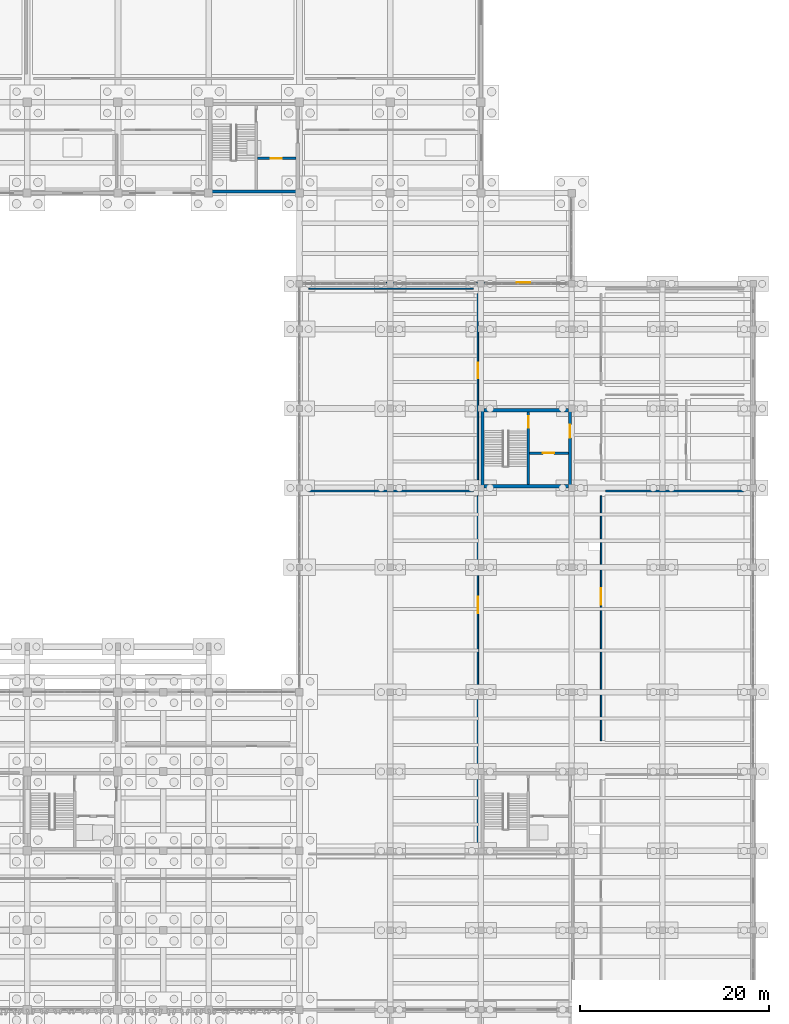
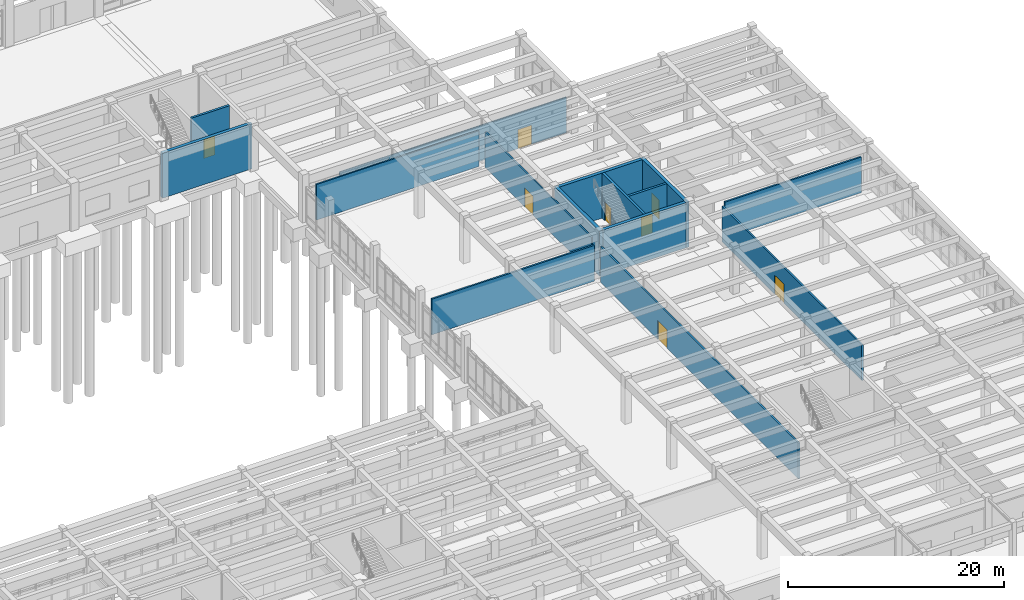
# One storey, part 84 of 102: 15 walls, 8 doors, 8 openings.
"""IFC4 building model written with IfcOpenShell, lengths in metres."""

from ifc_helpers import new_model, si_unit, direction, frame, frame_2d, origin, place, context, subcontext, project, spatial, rectangle, extrude, material, layer, layer_set, type_object, element, fill, save


model = new_model("IFC4")

# Units and contexts
model_context = context("Model", 3, precision=1e-05, world=origin(), true_north=direction((0.0, 1.0)))
body_context = subcontext(model_context, "Body", "Model", "MODEL_VIEW")
ifc_project = project(units=[si_unit("LENGTHUNIT", "METRE"), si_unit("AREAUNIT", "SQUARE_METRE"), si_unit("VOLUMEUNIT", "CUBIC_METRE"), si_unit("PLANEANGLEUNIT", "RADIAN"), si_unit("MASSUNIT", "GRAM", prefix="KILO")], contexts=[model_context])

# Site, building, storey
site_placement = place(None, origin())
site = spatial("IfcSite", under=ifc_project, at=site_placement, CompositionType="ELEMENT")
building_placement = place(site_placement, origin())
building = spatial("IfcBuilding", under=site, at=building_placement, Name="Kolvemor Railside Polytechnic", CompositionType="ELEMENT")
storey_placement = place(building_placement, origin())
storey = spatial("IfcBuildingStorey", under=building, at=storey_placement, Name="L00", CompositionType="ELEMENT", Elevation=0.0)

# Walls
ifc_material_1 = material(Name="Concrete C40/50", Category="concrete")
ifc_layer_1 = layer(ifc_material_1, 0.35009765625, Name="WL-CORE-350")
ifc_layer_set_1 = layer_set([ifc_layer_1], Name="Concrete C40/50")
wall_type_1 = type_object("IfcWallType", Name="WL-CORE-350", PredefinedType="SHEAR", material=ifc_layer_set_1)
for number, where, z_axis, x_axis, name in (
    (1, (153.60009765625, 68.22509765625, 0.0), (0.0, 0.0, 1.0), (1.0, 0.0, 0.0), "CORE-7 North Core Wall L00"),
    (2, (153.60009765625, 60.175048828125, 0.0), (0.0, 0.0, 1.0), (1.0, 0.0, 0.0), "CORE-7 South Core Wall L00"),
):
    element("IfcWall", number, at=place(storey_placement, frame(where, z_axis=z_axis, x_axis=x_axis)), inside=storey, type_object=wall_type_1, Name=name, PredefinedType="SHEAR", context=body_context, shape_type="SweptSolid", body=[
        extrude(rectangle(XDim=9.599853515625, YDim=0.35009765625, at=frame_2d((4.7998046875, 0.0))), origin(), (0.0, 0.0, 1.0), 5.110107421875),
    ])
wall_1_placement = place(storey_placement, frame((153.77490234375, 60.0, 0.0), z_axis=(0.0, 0.0, 1.0), x_axis=(0.0, 1.0, 0.0)))
element("IfcWall", 3, at=wall_1_placement, inside=storey, type_object=wall_type_1, Name="CORE-7 West Core Wall L00", PredefinedType="SHEAR", context=body_context, shape_type="SweptSolid", body=[
    extrude(rectangle(XDim=8.39990234375, YDim=0.35009765625, at=frame_2d((4.199951171875, 0.0))), origin(), (0.0, 0.0, 1.0), 5.110107421875),
])

# Wall, opening, door
wall_2_placement = place(storey_placement, frame((163.02490234375, 60.0, 0.0), z_axis=(0.0, 0.0, 1.0), x_axis=(0.0, 1.0, 0.0)))
wall_2 = element("IfcWall", 4, at=wall_2_placement, inside=storey, type_object=wall_type_1, Name="CORE-7 East Core Wall L00", PredefinedType="SHEAR", context=body_context, shape_type="SweptSolid", body=[
    extrude(rectangle(XDim=8.39990234375, YDim=0.35009765625, at=frame_2d((4.199951171875, 0.0))), origin(), (0.0, 0.0, 1.0), 5.110107421875),
])
opening_1_placement = place(wall_2_placement, frame((5.300048828125, 0.0, 0.0)))
opening_1 = element("IfcOpeningElement", 5, at=opening_1_placement, cuts=wall_2, Name="Opening D-LOB-7-L00", PredefinedType="OPENING", context=body_context, shape_type="SweptSolid", body=[
    extrude(rectangle(XDim=1.39990234375, YDim=2.14990234375, at=frame_2d((0.699951171875, 1.074951171875))), frame((0.0, 0.18505859375, 0.0), z_axis=(0.0, -1.0, 0.0), x_axis=(1.0, 0.0, 0.0)), (0.0, 0.0, 1.0), 0.3701171875),
])
ifc_material_2 = material(Name="Fire-rated hardwood and brushed stainless-steel door", Category="steel")
door_type_1 = type_object("IfcDoorType", Name="DR-FD60-140x215", OperationType="NOTDEFINED", PredefinedType="DOOR", material=ifc_material_2)
door_1_placement = place(opening_1_placement, origin())
door_1 = element("IfcDoor", 6, at=door_1_placement, inside=storey, type_object=door_type_1, Name="Core Lobby Fire Door CORE-7 L00", OperationType="SINGLE_SWING_RIGHT", OverallHeight=2.14990234375, OverallWidth=1.39990234375, PredefinedType="DOOR", context=body_context, shape_type="SweptSolid", body=[
    extrude(rectangle(XDim=1.39990234375, YDim=2.14990234375, at=frame_2d((0.699951171875, 1.074951171875))), frame((0.0, 0.02490234375, 0.0), z_axis=(0.0, -1.0, 0.0), x_axis=(1.0, 0.0, 0.0)), (0.0, 0.0, 1.0), 0.050048828125),
])
fill(opening_1, door_1)

# Wall
wall_3_placement = place(storey_placement, frame((124.800048828125, 91.375, 0.0), z_axis=(0.0, 0.0, 1.0), x_axis=(1.0, 0.0, 0.0)))
element("IfcWall", 7, at=wall_3_placement, inside=storey, type_object=wall_type_1, Name="CORE-9 South Core Wall L00", PredefinedType="SHEAR", context=body_context, shape_type="SweptSolid", body=[
    extrude(rectangle(XDim=9.599853515625, YDim=0.35009765625, at=frame_2d((4.7998046875, 0.0))), origin(), (0.0, 0.0, 1.0), 5.110107421875),
])

# Wall, opening, door
ifc_material_3 = material(Name="Fire-rated store partition")
ifc_layer_2 = layer(ifc_material_3, 0.110107421875, Name="WL-PART-110")
ifc_layer_set_2 = layer_set([ifc_layer_2], Name="Fire-rated store partition")
wall_type_2 = type_object("IfcWallType", Name="WL-PART-110", PredefinedType="PARTITIONING", material=ifc_layer_set_2)
wall_4_placement = place(storey_placement, frame((138.25, 81.719970703125, 0.0), z_axis=(0.0, 0.0, 1.0), x_axis=(1.0, 0.0, 0.0)))
wall_4 = element("IfcWall", 8, at=wall_4_placement, inside=storey, type_object=wall_type_2, Name="Partition Wall L00-0020", PredefinedType="PARTITIONING", context=body_context, shape_type="SweptSolid", body=[
    extrude(rectangle(XDim=24.300048828125, YDim=0.110107421875, at=frame_2d((12.14990234375, 0.0))), origin(), (0.0, 0.0, 1.0), 4.0400390625),
])
opening_2_placement = place(wall_4_placement, frame((19.14208984375, 0.0, 0.0)))
opening_2 = element("IfcOpeningElement", 9, at=opening_2_placement, cuts=wall_4, Name="Opening D-00013", PredefinedType="OPENING", context=body_context, shape_type="SweptSolid", body=[
    extrude(rectangle(XDim=1.449951171875, YDim=2.14990234375, at=frame_2d((0.72509765625, 1.074951171875))), frame((0.0, 0.06494140625, 0.0), z_axis=(0.0, -1.0, 0.0), x_axis=(1.0, 0.0, 0.0)), (0.0, 0.0, 1.0), 0.130126953125),
])
ifc_material_4 = material(Name="Fire-rated hardwood and brushed stainless-steel door", Category="steel")
door_type_2 = type_object("IfcDoorType", Name="DR-PLT-145x215", OperationType="NOTDEFINED", PredefinedType="DOOR", material=ifc_material_4)
door_2_placement = place(opening_2_placement, origin())
door_2 = element("IfcDoor", 10, at=door_2_placement, inside=storey, type_object=door_type_2, Name="Room Door D-00013 (Refectory Cold Store and Receiving Bay)", OperationType="SINGLE_SWING_RIGHT", OverallHeight=2.14990234375, OverallWidth=1.449951171875, PredefinedType="DOOR", context=body_context, shape_type="SweptSolid", body=[
    extrude(rectangle(XDim=1.449951171875, YDim=2.14990234375, at=frame_2d((0.72509765625, 1.074951171875))), frame((0.0, 0.02490234375, 0.0), z_axis=(0.0, -1.0, 0.0), x_axis=(1.0, 0.0, 0.0)), (0.0, 0.0, 1.0), 0.050048828125),
])
fill(opening_2, door_2)

ifc_material_5 = material(Name="Acoustic studio partition")
ifc_layer_3 = layer(ifc_material_5, 0.14990234375, Name="WL-PART-150")
ifc_layer_set_3 = layer_set([ifc_layer_3], Name="Acoustic studio partition")
wall_type_3 = type_object("IfcWallType", Name="WL-PART-150", PredefinedType="PARTITIONING", material=ifc_layer_set_3)
wall_5_placement = place(storey_placement, frame((153.280029296875, 60.85009765625, 0.0), z_axis=(0.0, 0.0, 1.0), x_axis=(0.0, 1.0, 0.0)))
wall_5 = element("IfcWall", 11, at=wall_5_placement, inside=storey, type_object=wall_type_3, Name="Partition Wall L00-0069", PredefinedType="PARTITIONING", context=body_context, shape_type="SweptSolid", body=[
    extrude(rectangle(XDim=19.699951171875, YDim=0.14990234375, at=frame_2d((9.85009765625, 0.0))), origin(), (0.0, 0.0, 1.0), 4.0400390625),
])
opening_3_placement = place(wall_5_placement, frame((10.780029296875, 0.0, 0.0)))
opening_3 = element("IfcOpeningElement", 12, at=opening_3_placement, cuts=wall_5, Name="Opening D-00040", PredefinedType="OPENING", context=body_context, shape_type="SweptSolid", body=[
    extrude(rectangle(XDim=1.60009765625, YDim=2.14990234375, at=frame_2d((0.800048828125, 1.074951171875))), frame((0.0, 0.0849609375, 0.0), z_axis=(0.0, -1.0, 0.0), x_axis=(1.0, 0.0, 0.0)), (0.0, 0.0, 1.0), 0.169921875),
])
ifc_material_6 = material(Name="Fire-rated hardwood and brushed stainless-steel door", Category="steel")
door_type_3 = type_object("IfcDoorType", Name="DR-FD60-160x215", OperationType="NOTDEFINED", PredefinedType="DOOR", material=ifc_material_6)
door_3_placement = place(opening_3_placement, origin())
door_3 = element("IfcDoor", 13, at=door_3_placement, inside=storey, type_object=door_type_3, Name="Room Door D-00040 (Student Societies and Community Room)", OperationType="SINGLE_SWING_LEFT", OverallHeight=2.14990234375, OverallWidth=1.60009765625, PredefinedType="DOOR", context=body_context, shape_type="SweptSolid", body=[
    extrude(rectangle(XDim=1.60009765625, YDim=2.14990234375, at=frame_2d((0.800048828125, 1.074951171875))), frame((0.0, 0.02490234375, 0.0), z_axis=(0.0, -1.0, 0.0), x_axis=(1.0, 0.0, 0.0)), (0.0, 0.0, 1.0), 0.050048828125),
])
fill(opening_3, door_3)

# Wall
wall_6_placement = place(storey_placement, frame((135.39990234375, 81.080078125, 0.0), z_axis=(0.0, 0.0, 1.0), x_axis=(1.0, 0.0, 0.0)))
element("IfcWall", 14, at=wall_6_placement, inside=storey, type_object=wall_type_3, Name="Demising Partition L00-0070", PredefinedType="PARTITIONING", context=body_context, shape_type="SweptSolid", body=[
    extrude(rectangle(XDim=17.400146484375, YDim=0.14990234375, at=frame_2d((8.7001953125, 0.0))), origin(), (0.0, 0.0, 1.0), 4.0400390625),
])

# Wall, opening, door
ifc_material_7 = material(Name="Fire-rated double-stud acoustic partition")
ifc_layer_4 = layer(ifc_material_7, 0.179931640625, Name="WL-PART-180")
ifc_layer_set_4 = layer_set([ifc_layer_4], Name="Fire-rated double-stud acoustic partition")
wall_type_4 = type_object("IfcWallType", Name="WL-PART-180", PredefinedType="PARTITIONING", material=ifc_layer_set_4)
wall_7_placement = place(storey_placement, frame((153.280029296875, 22.449951171875, 0.0), z_axis=(0.0, 0.0, 1.0), x_axis=(0.0, 1.0, 0.0)))
wall_7 = element("IfcWall", 15, at=wall_7_placement, inside=storey, type_object=wall_type_4, Name="Partition Wall L00-0061", PredefinedType="PARTITIONING", context=body_context, shape_type="SweptSolid", body=[
    extrude(rectangle(XDim=36.699951171875, YDim=0.179931640625, at=frame_2d((18.35009765625, 0.0))), origin(), (0.0, 0.0, 1.0), 4.0400390625),
])
opening_4_placement = place(wall_7_placement, frame((24.304931640625, 0.0, 0.0)))
opening_4 = element("IfcOpeningElement", 16, at=opening_4_placement, cuts=wall_7, Name="Opening D-00036", PredefinedType="OPENING", context=body_context, shape_type="SweptSolid", body=[
    extrude(rectangle(XDim=1.75, YDim=2.14990234375, at=frame_2d((0.875, 1.074951171875))), frame((0.0, 0.099853515625, 0.0), z_axis=(0.0, -1.0, 0.0), x_axis=(1.0, 0.0, 0.0)), (0.0, 0.0, 1.0), 0.199951171875),
])
ifc_material_8 = material(Name="Solid hardwood acoustic door", Category="wood")
door_type_4 = type_object("IfcDoorType", Name="DR-REF-175x215", OperationType="NOTDEFINED", PredefinedType="DOOR", material=ifc_material_8)
door_4_placement = place(opening_4_placement, origin())
door_4 = element("IfcDoor", 17, at=door_4_placement, inside=storey, type_object=door_type_4, Name="Room Door D-00036 (Refectory Dining Hall)", OperationType="SINGLE_SWING_LEFT", OverallHeight=2.14990234375, OverallWidth=1.75, PredefinedType="DOOR", context=body_context, shape_type="SweptSolid", body=[
    extrude(rectangle(XDim=1.75, YDim=2.14990234375, at=frame_2d((0.875, 1.074951171875))), frame((0.0, 0.02490234375, 0.0), z_axis=(0.0, -1.0, 0.0), x_axis=(1.0, 0.0, 0.0)), (0.0, 0.0, 1.0), 0.050048828125),
])
fill(opening_4, door_4)

# Wall
wall_8_placement = place(storey_placement, frame((135.39990234375, 59.679931640625, 0.0), z_axis=(0.0, 0.0, 1.0), x_axis=(1.0, 0.0, 0.0)))
element("IfcWall", 18, at=wall_8_placement, inside=storey, type_object=wall_type_4, Name="Demising Partition L00-0062", PredefinedType="PARTITIONING", context=body_context, shape_type="SweptSolid", body=[
    extrude(rectangle(XDim=17.400146484375, YDim=0.179931640625, at=frame_2d((8.7001953125, 0.0))), origin(), (0.0, 0.0, 1.0), 4.0400390625),
])

# Wall, opening, door
wall_9_placement = place(storey_placement, frame((166.320068359375, 33.25, 0.0), z_axis=(0.0, 0.0, 1.0), x_axis=(0.0, 1.0, 0.0)))
wall_9 = element("IfcWall", 19, at=wall_9_placement, inside=storey, type_object=wall_type_4, Name="Partition Wall L00-0063", PredefinedType="PARTITIONING", context=body_context, shape_type="SweptSolid", body=[
    extrude(rectangle(XDim=25.89990234375, YDim=0.179931640625, at=frame_2d((12.949951171875, 0.0))), origin(), (0.0, 0.0, 1.0), 4.0400390625),
])
opening_5_placement = place(wall_9_placement, frame((14.409912109375, 0.0, 0.0)))
opening_5 = element("IfcOpeningElement", 20, at=opening_5_placement, cuts=wall_9, Name="Opening D-00037", PredefinedType="OPENING", context=body_context, shape_type="SweptSolid", body=[
    extrude(rectangle(XDim=1.75, YDim=2.14990234375, at=frame_2d((0.875, 1.074951171875))), frame((0.0, 0.099853515625, 0.0), z_axis=(0.0, -1.0, 0.0), x_axis=(1.0, 0.0, 0.0)), (0.0, 0.0, 1.0), 0.199951171875),
])
door_5_placement = place(opening_5_placement, origin())
door_5 = element("IfcDoor", 21, at=door_5_placement, inside=storey, type_object=door_type_4, Name="Room Door D-00037 (Refectory Kitchen and Servery)", OperationType="SINGLE_SWING_RIGHT", OverallHeight=2.14990234375, OverallWidth=1.75, PredefinedType="DOOR", context=body_context, shape_type="SweptSolid", body=[
    extrude(rectangle(XDim=1.75, YDim=2.14990234375, at=frame_2d((0.875, 1.074951171875))), frame((0.0, 0.02490234375, 0.0), z_axis=(0.0, -1.0, 0.0), x_axis=(1.0, 0.0, 0.0)), (0.0, 0.0, 1.0), 0.050048828125),
])
fill(opening_5, door_5)

# Wall
wall_10_placement = place(storey_placement, frame((166.800048828125, 59.679931640625, 0.0), z_axis=(0.0, 0.0, 1.0), x_axis=(1.0, 0.0, 0.0)))
element("IfcWall", 22, at=wall_10_placement, inside=storey, type_object=wall_type_4, Name="Demising Partition L00-0064", PredefinedType="PARTITIONING", context=body_context, shape_type="SweptSolid", body=[
    extrude(rectangle(XDim=14.599853515625, YDim=0.179931640625, at=frame_2d((7.2998046875, 0.0))), origin(), (0.0, 0.0, 1.0), 4.0400390625),
])

# Wall, opening, door
ifc_material_9 = material(Name="Concrete C40/50", Category="concrete")
ifc_layer_5 = layer(ifc_material_9, 0.25, Name="WL-SHFT-250")
ifc_layer_set_5 = layer_set([ifc_layer_5], Name="Concrete C40/50")
wall_type_5 = type_object("IfcWallType", Name="WL-SHFT-250", PredefinedType="SHEAR", material=ifc_layer_set_5)
wall_11_placement = place(storey_placement, frame((158.625, 68.050048828125, 0.0), z_axis=(0.0, 0.0, 1.0), x_axis=(0.0, -1.0, 0.0)))
wall_11 = element("IfcWall", 23, at=wall_11_placement, inside=storey, type_object=wall_type_5, Name="CORE-7 Stair-Lobby Divider Wall L00", PredefinedType="SHEAR", context=body_context, shape_type="SweptSolid", body=[
    extrude(rectangle(XDim=7.699951171875, YDim=0.25, at=frame_2d((3.85009765625, 0.0))), origin(), (0.0, 0.0, 1.0), 5.110107421875),
])
opening_6_placement = place(wall_11_placement, frame((0.449951171875, 0.0, 0.0)))
opening_6 = element("IfcOpeningElement", 24, at=opening_6_placement, cuts=wall_11, Name="Opening D-ST-7-L00", PredefinedType="OPENING", context=body_context, shape_type="SweptSolid", body=[
    extrude(rectangle(XDim=1.25, YDim=2.14990234375, at=frame_2d((0.625, 1.074951171875))), frame((0.0, 0.135009765625, 0.0), z_axis=(0.0, -1.0, 0.0), x_axis=(1.0, 0.0, 0.0)), (0.0, 0.0, 1.0), 0.27001953125),
])
ifc_material_10 = material(Name="Fire-rated hardwood and brushed stainless-steel door", Category="steel")
door_type_5 = type_object("IfcDoorType", Name="DR-FD90-125x215", OperationType="NOTDEFINED", PredefinedType="DOOR", material=ifc_material_10)
door_6_placement = place(opening_6_placement, origin())
door_6 = element("IfcDoor", 25, at=door_6_placement, inside=storey, type_object=door_type_5, Name="Stair Fire Door ST-7 L00", OperationType="SINGLE_SWING_RIGHT", OverallHeight=2.14990234375, OverallWidth=1.25, PredefinedType="DOOR", context=body_context, shape_type="SweptSolid", body=[
    extrude(rectangle(XDim=1.25, YDim=2.14990234375, at=frame_2d((0.625, 1.074951171875))), frame((0.0, 0.02490234375, 0.0), z_axis=(0.0, -1.0, 0.0), x_axis=(1.0, 0.0, 0.0)), (0.0, 0.0, 1.0), 0.050048828125),
])
fill(opening_6, door_6)

wall_12_placement = place(storey_placement, frame((158.75, 63.675048828125, 0.0), z_axis=(0.0, 0.0, 1.0), x_axis=(1.0, 0.0, 0.0)))
wall_12 = element("IfcWall", 26, at=wall_12_placement, inside=storey, type_object=wall_type_5, Name="CORE-7 Lift Shaft Front Wall L00", PredefinedType="SHEAR", context=body_context, shape_type="SweptSolid", body=[
    extrude(rectangle(XDim=4.10009765625, YDim=0.25, at=frame_2d((2.050048828125, 0.0))), origin(), (0.0, 0.0, 1.0), 5.110107421875),
])
opening_7_placement = place(wall_12_placement, frame((1.39990234375, 0.0, 0.0)))
opening_7 = element("IfcOpeningElement", 27, at=opening_7_placement, cuts=wall_12, Name="Opening D-RSR-7-L00", PredefinedType="OPENING", context=body_context, shape_type="SweptSolid", body=[
    extrude(rectangle(XDim=1.199951171875, YDim=2.14990234375, at=frame_2d((0.60009765625, 1.074951171875))), frame((0.0, 0.135009765625, 0.0), z_axis=(0.0, -1.0, 0.0), x_axis=(1.0, 0.0, 0.0)), (0.0, 0.0, 1.0), 0.27001953125),
])
ifc_material_11 = material(Name="Fire-rated hardwood and brushed stainless-steel door", Category="steel")
door_type_6 = type_object("IfcDoorType", Name="DR-FD60-120x215", OperationType="NOTDEFINED", PredefinedType="DOOR", material=ifc_material_11)
door_7_placement = place(opening_7_placement, origin())
door_7 = element("IfcDoor", 28, at=door_7_placement, inside=storey, type_object=door_type_6, Name="Riser Fire Door CORE-7 L00", OperationType="SINGLE_SWING_LEFT", OverallHeight=2.14990234375, OverallWidth=1.199951171875, PredefinedType="DOOR", context=body_context, shape_type="SweptSolid", body=[
    extrude(rectangle(XDim=1.199951171875, YDim=2.14990234375, at=frame_2d((0.60009765625, 1.074951171875))), frame((0.0, 0.02490234375, 0.0), z_axis=(0.0, -1.0, 0.0), x_axis=(1.0, 0.0, 0.0)), (0.0, 0.0, 1.0), 0.050048828125),
])
fill(opening_7, door_7)

wall_13_placement = place(storey_placement, frame((129.949951171875, 94.875, 0.0), z_axis=(0.0, 0.0, 1.0), x_axis=(1.0, 0.0, 0.0)))
wall_13 = element("IfcWall", 29, at=wall_13_placement, inside=storey, type_object=wall_type_5, Name="CORE-9 Lift Shaft Front Wall L00", PredefinedType="SHEAR", context=body_context, shape_type="SweptSolid", body=[
    extrude(rectangle(XDim=4.10009765625, YDim=0.25, at=frame_2d((2.050048828125, 0.0))), origin(), (0.0, 0.0, 1.0), 5.110107421875),
])
opening_8_placement = place(wall_13_placement, frame((1.39990234375, 0.0, 0.0)))
opening_8 = element("IfcOpeningElement", 30, at=opening_8_placement, cuts=wall_13, Name="Opening D-RSR-9-L00", PredefinedType="OPENING", context=body_context, shape_type="SweptSolid", body=[
    extrude(rectangle(XDim=1.199951171875, YDim=2.14990234375, at=frame_2d((0.60009765625, 1.074951171875))), frame((0.0, 0.135009765625, 0.0), z_axis=(0.0, -1.0, 0.0), x_axis=(1.0, 0.0, 0.0)), (0.0, 0.0, 1.0), 0.27001953125),
])
door_8_placement = place(opening_8_placement, origin())
door_8 = element("IfcDoor", 31, at=door_8_placement, inside=storey, type_object=door_type_6, Name="Riser Fire Door CORE-9 L00", OperationType="SINGLE_SWING_RIGHT", OverallHeight=2.14990234375, OverallWidth=1.199951171875, PredefinedType="DOOR", context=body_context, shape_type="SweptSolid", body=[
    extrude(rectangle(XDim=1.199951171875, YDim=2.14990234375, at=frame_2d((0.60009765625, 1.074951171875))), frame((0.0, 0.02490234375, 0.0), z_axis=(0.0, -1.0, 0.0), x_axis=(1.0, 0.0, 0.0)), (0.0, 0.0, 1.0), 0.050048828125),
])
fill(opening_8, door_8)

save(model, "model.ifc")
